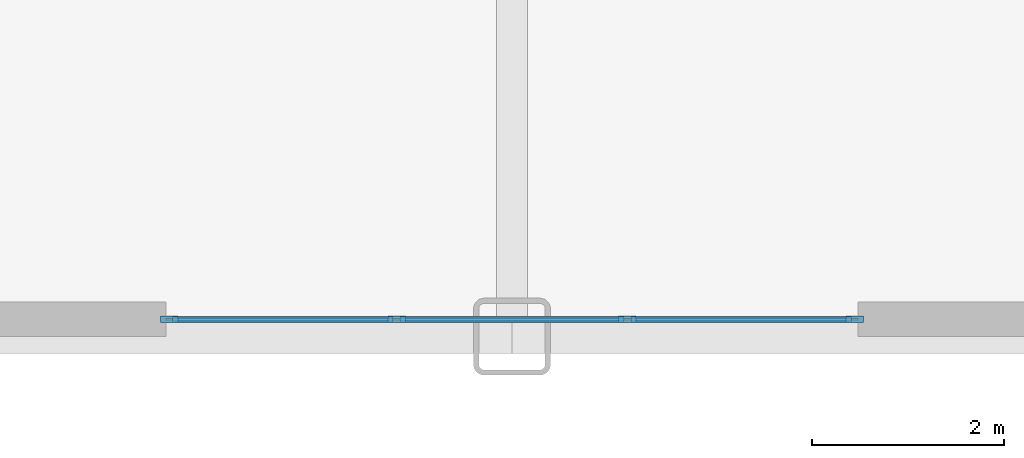
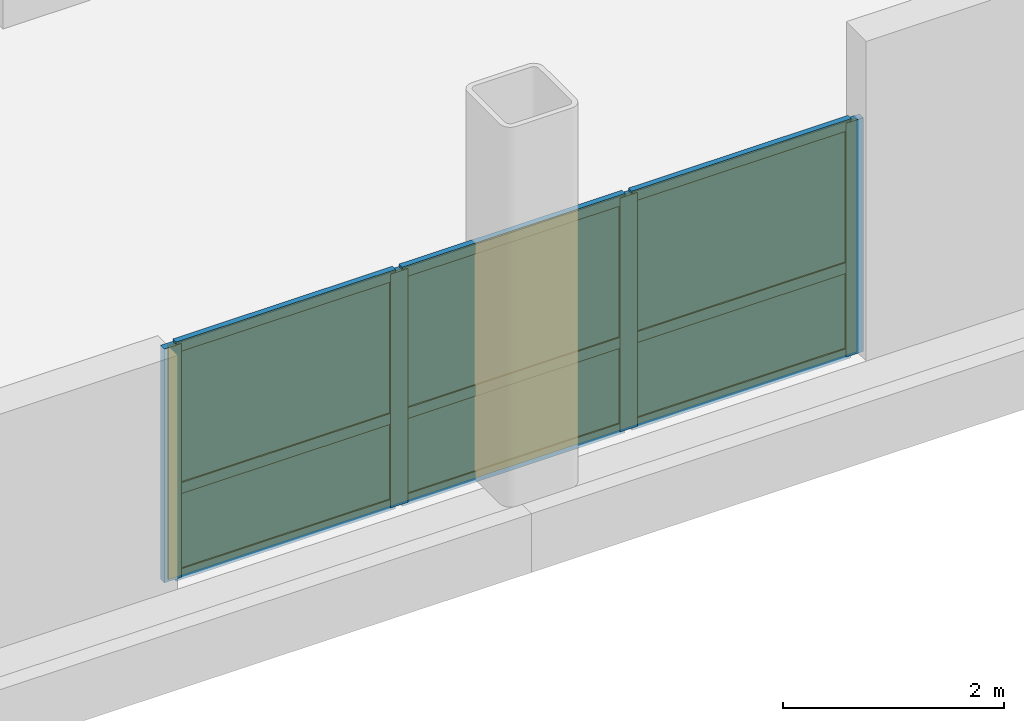
# One storey, part 8 of 14: 13 members, 6 plates, 1 curtain wall.
"""IFC4 building model written with IfcOpenShell, lengths in metres."""

from ifc_helpers import new_model, si_unit, direction, frame, frame_2d, origin, origin_2d, place, context, subcontext, project, spatial, rectangle, extrude, source, transform, mapped, material, layer, layer_set, material_profile, profile_set, type_object, type_shapes, element, aggregate, save


model = new_model("IFC4")

# Units and contexts
model_context = context("Model", 3, precision=1e-05, world=origin(), true_north=direction((0.0, 1.0)))
body_context = subcontext(model_context, "Body", "Model", "MODEL_VIEW")
ifc_project = project(units=[si_unit("LENGTHUNIT", "METRE"), si_unit("AREAUNIT", "SQUARE_METRE"), si_unit("VOLUMEUNIT", "CUBIC_METRE"), si_unit("PLANEANGLEUNIT", "RADIAN"), si_unit("MASSUNIT", "GRAM", prefix="KILO")], contexts=[model_context])

# Member
ifc_material_1 = material(Name="Anodised aluminium 6063-T6", Category="aluminium")
ifc_material_profile_1 = material_profile(ifc_material_1, rectangle(XDim=0.070068359375, YDim=0.179931640625, at=origin_2d()), Name="ALU-MULL-70x180")
ifc_profile_set_1 = profile_set([ifc_material_profile_1], Name="Anodised aluminium 6063-T6")
member_type_1 = type_object("IfcMemberType", Name="CWM-1", PredefinedType="MULLION", material=ifc_profile_set_1)
site_placement = place(None, origin())
building_placement = place(site_placement, origin())
storey_placement = place(building_placement, frame((0.0, 0.0, 13.800048828125)))
member_1_placement = place(storey_placement, frame((15.43505859375, -25.820068359375, 0.0), z_axis=(0.0, 0.0, 1.0), x_axis=(0.0, 1.0, 0.0)))
member_1 = element("IfcMember", 1, at=member_1_placement, type_object=member_type_1, Name="CWS-1 mullion 1", PredefinedType="MULLION", context=body_context, shape_type="SweptSolid", body=[
    extrude(rectangle(XDim=0.070068359375, YDim=0.179931640625, at=origin_2d()), origin(), (0.0, 0.0, 1.0), 2.5849609375),
])

member_2_placement = place(storey_placement, frame((17.800048828125, -25.820068359375, 0.0), z_axis=(0.0, 0.0, 1.0), x_axis=(0.0, 1.0, 0.0)))
member_2 = element("IfcMember", 2, at=member_2_placement, type_object=member_type_1, Name="CWS-1 mullion 2", PredefinedType="MULLION", context=body_context, shape_type="SweptSolid", body=[
    extrude(rectangle(XDim=0.070068359375, YDim=0.179931640625, at=origin_2d()), origin(), (0.0, 0.0, 1.0), 2.5849609375),
])

member_3_placement = place(storey_placement, frame((20.199951171875, -25.820068359375, 0.0), z_axis=(0.0, 0.0, 1.0), x_axis=(0.0, 1.0, 0.0)))
member_3 = element("IfcMember", 3, at=member_3_placement, type_object=member_type_1, Name="CWS-1 mullion 3", PredefinedType="MULLION", context=body_context, shape_type="SweptSolid", body=[
    extrude(rectangle(XDim=0.070068359375, YDim=0.179931640625, at=origin_2d()), origin(), (0.0, 0.0, 1.0), 2.5849609375),
])

member_4_placement = place(storey_placement, frame((22.56494140625, -25.820068359375, 0.0), z_axis=(0.0, 0.0, 1.0), x_axis=(0.0, 1.0, 0.0)))
member_4 = element("IfcMember", 4, at=member_4_placement, type_object=member_type_1, Name="CWS-1 mullion 4", PredefinedType="MULLION", context=body_context, shape_type="SweptSolid", body=[
    extrude(rectangle(XDim=0.070068359375, YDim=0.179931640625, at=origin_2d()), origin(), (0.0, 0.0, 1.0), 2.5849609375),
])

ifc_material_profile_2 = material_profile(ifc_material_1, rectangle(XDim=0.06005859375, YDim=0.1201171875, at=origin_2d()), Name="ALU-TRAN-60x120")
ifc_profile_set_2 = profile_set([ifc_material_profile_2], Name="Anodised aluminium 6063-T6")
member_type_2 = type_object("IfcMemberType", Name="CWT-1", PredefinedType="USERDEFINED", material=ifc_profile_set_2)
member_5_placement = place(storey_placement, frame((15.469970703125, -25.820068359375, 0.030029296875), z_axis=(1.0, 0.0, 0.0), x_axis=(0.0, 1.0, 0.0)))
member_5 = element("IfcMember", 5, at=member_5_placement, type_object=member_type_2, Name="CWS-1 transom 1.1", ObjectType="TRANSOM", PredefinedType="USERDEFINED", context=body_context, shape_type="SweptSolid", body=[
    extrude(rectangle(XDim=0.06005859375, YDim=0.1201171875, at=origin_2d()), origin(), (0.0, 0.0, 1.0), 2.294921875),
])

member_6_placement = place(storey_placement, frame((15.469970703125, -25.820068359375, 0.982177734375), z_axis=(1.0, 0.0, 0.0), x_axis=(0.0, 1.0, 0.0)))
member_6 = element("IfcMember", 6, at=member_6_placement, type_object=member_type_2, Name="CWS-1 transom 1.2", ObjectType="TRANSOM", PredefinedType="USERDEFINED", context=body_context, shape_type="SweptSolid", body=[
    extrude(rectangle(XDim=0.06005859375, YDim=0.1201171875, at=origin_2d()), origin(), (0.0, 0.0, 1.0), 2.294921875),
])

member_7_placement = place(storey_placement, frame((15.469970703125, -25.820068359375, 2.554931640625), z_axis=(1.0, 0.0, 0.0), x_axis=(0.0, 1.0, 0.0)))
member_7 = element("IfcMember", 7, at=member_7_placement, type_object=member_type_2, Name="CWS-1 transom 1.3", ObjectType="TRANSOM", PredefinedType="USERDEFINED", context=body_context, shape_type="SweptSolid", body=[
    extrude(rectangle(XDim=0.06005859375, YDim=0.1201171875, at=origin_2d()), origin(), (0.0, 0.0, 1.0), 2.294921875),
])

member_8_placement = place(storey_placement, frame((17.8349609375, -25.820068359375, 0.030029296875), z_axis=(1.0, 0.0, 0.0), x_axis=(0.0, 1.0, 0.0)))
member_8 = element("IfcMember", 8, at=member_8_placement, type_object=member_type_2, Name="CWS-1 transom 2.1", ObjectType="TRANSOM", PredefinedType="USERDEFINED", context=body_context, shape_type="SweptSolid", body=[
    extrude(rectangle(XDim=0.06005859375, YDim=0.1201171875, at=origin_2d()), origin(), (0.0, 0.0, 1.0), 2.330078125),
])

member_9_placement = place(storey_placement, frame((17.8349609375, -25.820068359375, 0.982177734375), z_axis=(1.0, 0.0, 0.0), x_axis=(0.0, 1.0, 0.0)))
member_9 = element("IfcMember", 9, at=member_9_placement, type_object=member_type_2, Name="CWS-1 transom 2.2", ObjectType="TRANSOM", PredefinedType="USERDEFINED", context=body_context, shape_type="SweptSolid", body=[
    extrude(rectangle(XDim=0.06005859375, YDim=0.1201171875, at=origin_2d()), origin(), (0.0, 0.0, 1.0), 2.330078125),
])

member_10_placement = place(storey_placement, frame((17.8349609375, -25.820068359375, 2.554931640625), z_axis=(1.0, 0.0, 0.0), x_axis=(0.0, 1.0, 0.0)))
member_10 = element("IfcMember", 10, at=member_10_placement, type_object=member_type_2, Name="CWS-1 transom 2.3", ObjectType="TRANSOM", PredefinedType="USERDEFINED", context=body_context, shape_type="SweptSolid", body=[
    extrude(rectangle(XDim=0.06005859375, YDim=0.1201171875, at=origin_2d()), origin(), (0.0, 0.0, 1.0), 2.330078125),
])

member_11_placement = place(storey_placement, frame((20.235107421875, -25.820068359375, 0.030029296875), z_axis=(1.0, 0.0, 0.0), x_axis=(0.0, 1.0, 0.0)))
member_11 = element("IfcMember", 11, at=member_11_placement, type_object=member_type_2, Name="CWS-1 transom 3.1", ObjectType="TRANSOM", PredefinedType="USERDEFINED", context=body_context, shape_type="SweptSolid", body=[
    extrude(rectangle(XDim=0.06005859375, YDim=0.1201171875, at=origin_2d()), origin(), (0.0, 0.0, 1.0), 2.294921875),
])

member_12_placement = place(storey_placement, frame((20.235107421875, -25.820068359375, 0.982177734375), z_axis=(1.0, 0.0, 0.0), x_axis=(0.0, 1.0, 0.0)))
member_12 = element("IfcMember", 12, at=member_12_placement, type_object=member_type_2, Name="CWS-1 transom 3.2", ObjectType="TRANSOM", PredefinedType="USERDEFINED", context=body_context, shape_type="SweptSolid", body=[
    extrude(rectangle(XDim=0.06005859375, YDim=0.1201171875, at=origin_2d()), origin(), (0.0, 0.0, 1.0), 2.294921875),
])

member_13_placement = place(storey_placement, frame((20.235107421875, -25.820068359375, 2.554931640625), z_axis=(1.0, 0.0, 0.0), x_axis=(0.0, 1.0, 0.0)))
member_13 = element("IfcMember", 13, at=member_13_placement, type_object=member_type_2, Name="CWS-1 transom 3.3", ObjectType="TRANSOM", PredefinedType="USERDEFINED", context=body_context, shape_type="SweptSolid", body=[
    extrude(rectangle(XDim=0.06005859375, YDim=0.1201171875, at=origin_2d()), origin(), (0.0, 0.0, 1.0), 2.294921875),
])

# Plate
ifc_material_2 = material(Name="Insulated solar-control glass", Category="glass")
ifc_layer_1 = layer(ifc_material_2, 0.031982421875, Name="CWP-1")
ifc_layer_set_1 = layer_set([ifc_layer_1], Name="Insulated solar-control glass")
plate_type = type_object("IfcPlateType", Name="CWP-1", PredefinedType="CURTAIN_PANEL", material=ifc_layer_set_1)
shared_shape_1 = source(origin(), body_context, "Body", "SweptSolid", [
    extrude(rectangle(XDim=2.294921875, YDim=0.031982421875, at=origin_2d()), origin(), (0.0, 0.0, 1.0), 0.892333984375),
])
plate_1_placement = place(storey_placement, frame((16.617431640625, -25.820068359375, 0.06005859375), z_axis=(0.0, 0.0, 1.0), x_axis=(1.0, 0.0, 0.0)))
plate_1 = element("IfcPlate", 14, at=plate_1_placement, type_object=plate_type, Name="CWS-1 panel 1.1", PredefinedType="CURTAIN_PANEL", context=body_context, shape_type="MappedRepresentation", body=[
    mapped(shared_shape_1, transform((0.0, 0.0, 0.0), scale=1.0)),
])

plate_2_placement = place(storey_placement, frame((21.382568359375, -25.820068359375, 0.06005859375), z_axis=(0.0, 0.0, 1.0), x_axis=(1.0, 0.0, 0.0)))
plate_2 = element("IfcPlate", 15, at=plate_2_placement, type_object=plate_type, Name="CWS-1 panel 3.1", PredefinedType="CURTAIN_PANEL", context=body_context, shape_type="MappedRepresentation", body=[
    mapped(shared_shape_1, transform((0.0, 0.0, 0.0), scale=1.0)),
])

shared_shape_2 = source(origin(), body_context, "Body", "SweptSolid", [
    extrude(rectangle(XDim=2.294921875, YDim=0.031982421875, at=origin_2d()), origin(), (0.0, 0.0, 1.0), 1.5126953125),
])
plate_3_placement = place(storey_placement, frame((16.617431640625, -25.820068359375, 1.01220703125), z_axis=(0.0, 0.0, 1.0), x_axis=(1.0, 0.0, 0.0)))
plate_3 = element("IfcPlate", 16, at=plate_3_placement, type_object=plate_type, Name="CWS-1 panel 1.2", PredefinedType="CURTAIN_PANEL", context=body_context, shape_type="MappedRepresentation", body=[
    mapped(shared_shape_2, transform((0.0, 0.0, 0.0), scale=1.0)),
])

plate_4_placement = place(storey_placement, frame((21.382568359375, -25.820068359375, 1.01220703125), z_axis=(0.0, 0.0, 1.0), x_axis=(1.0, 0.0, 0.0)))
plate_4 = element("IfcPlate", 17, at=plate_4_placement, type_object=plate_type, Name="CWS-1 panel 3.2", PredefinedType="CURTAIN_PANEL", context=body_context, shape_type="MappedRepresentation", body=[
    mapped(shared_shape_2, transform((0.0, 0.0, 0.0), scale=1.0)),
])

shared_shape_3 = source(origin(), body_context, "Body", "SweptSolid", [
    extrude(rectangle(XDim=2.330078125, YDim=0.031982421875, at=origin_2d()), origin(), (0.0, 0.0, 1.0), 0.892333984375),
])
plate_5_placement = place(storey_placement, frame((19.0, -25.820068359375, 0.06005859375), z_axis=(0.0, 0.0, 1.0), x_axis=(1.0, 0.0, 0.0)))
plate_5 = element("IfcPlate", 18, at=plate_5_placement, type_object=plate_type, Name="CWS-1 panel 2.1", PredefinedType="CURTAIN_PANEL", context=body_context, shape_type="MappedRepresentation", body=[
    mapped(shared_shape_3, transform((0.0, 0.0, 0.0), scale=1.0)),
])

shared_shape_4 = source(origin(), body_context, "Body", "SweptSolid", [
    extrude(rectangle(XDim=2.330078125, YDim=0.031982421875, at=origin_2d()), origin(), (0.0, 0.0, 1.0), 1.5126953125),
])
type_shapes(plate_type, [shared_shape_1, shared_shape_2, shared_shape_3, shared_shape_4])
plate_6_placement = place(storey_placement, frame((19.0, -25.820068359375, 1.01220703125), z_axis=(0.0, 0.0, 1.0), x_axis=(1.0, 0.0, 0.0)))
plate_6 = element("IfcPlate", 19, at=plate_6_placement, type_object=plate_type, Name="CWS-1 panel 2.2", PredefinedType="CURTAIN_PANEL", context=body_context, shape_type="MappedRepresentation", body=[
    mapped(shared_shape_4, transform((0.0, 0.0, 0.0), scale=1.0)),
])

# Site, building, storey
site = spatial("IfcSite", under=ifc_project, at=site_placement, CompositionType="ELEMENT")
building = spatial("IfcBuilding", under=site, at=building_placement, Name="Nuvemarco Arch Tower", CompositionType="ELEMENT")
storey = spatial("IfcBuildingStorey", under=building, at=storey_placement, Name="L03", CompositionType="ELEMENT", Elevation=13.800048828125)

# Curtain wall
ifc_layer_2 = layer(ifc_material_2, 0.179931640625, Name="CW-SYS-1")
ifc_layer_set_2 = layer_set([ifc_layer_2], Name="Insulated solar-control glass")
curtain_wall_type = type_object("IfcCurtainWallType", Name="CW-SYS-1", PredefinedType="NOTDEFINED", material=ifc_layer_set_2)
curtain_wall_placement = place(storey_placement, frame((15.39990234375, -25.820068359375, 0.0), z_axis=(0.0, 0.0, 1.0), x_axis=(1.0, 0.0, 0.0)))
curtain_wall = element("IfcCurtainWall", 20, at=curtain_wall_placement, inside=storey, type_object=curtain_wall_type, Name="L03 curtain wall CWS-1", PredefinedType="NOTDEFINED", context=body_context, shape_type="SweptSolid", body=[
    extrude(rectangle(XDim=7.2001953125, YDim=0.02001953125, at=frame_2d((3.60009765625, 0.0))), origin(), (0.0, 0.0, 1.0), 2.5849609375),
])

aggregate(curtain_wall, [member_1, member_2, member_3, member_4, member_5, member_6, member_7, plate_1, plate_3, member_8, member_9, member_10, plate_5, plate_6, member_11, member_12, member_13, plate_2, plate_4])

save(model, "model.ifc")
